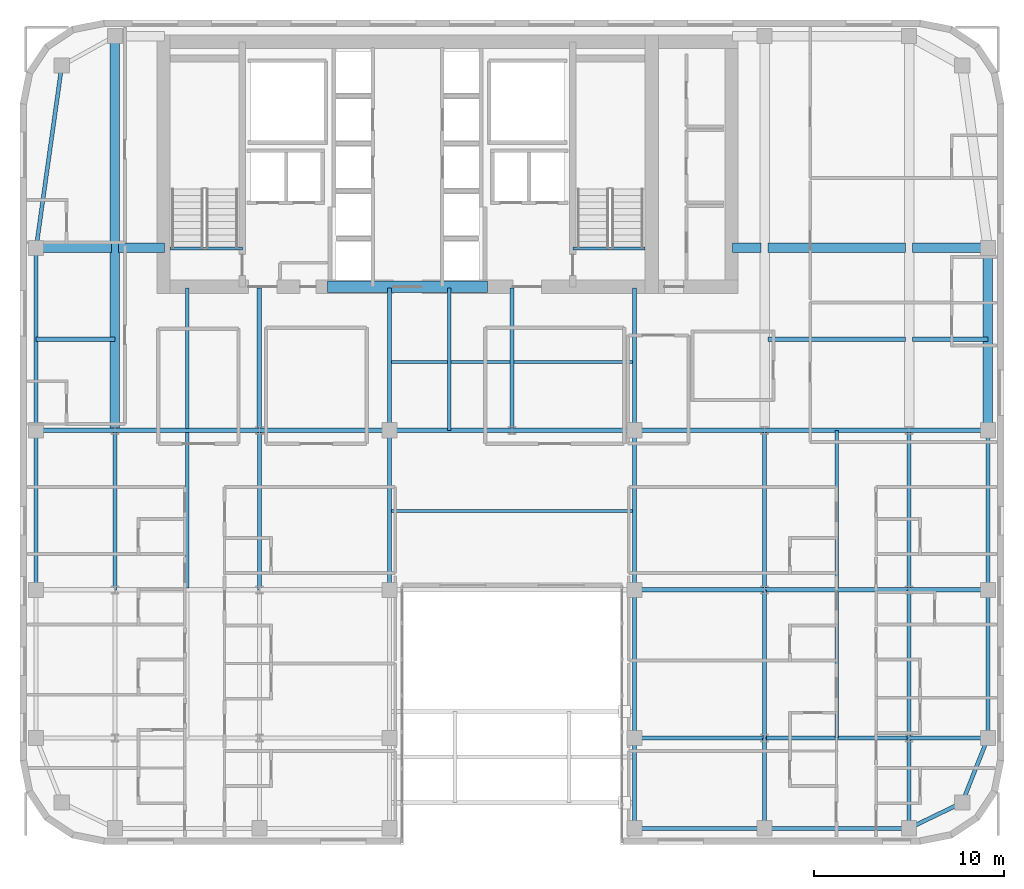
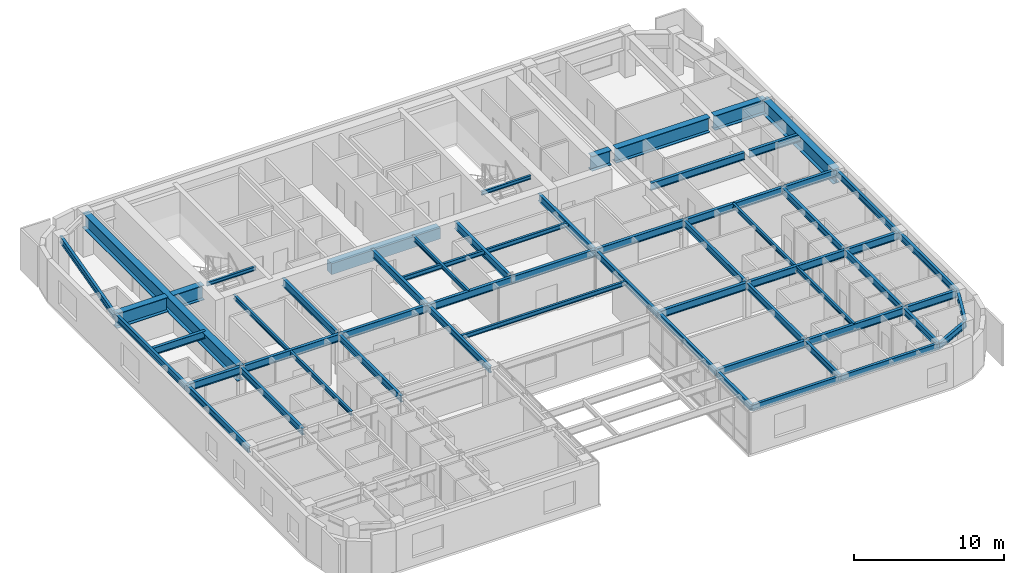
# One storey, part 5 of 15: 59 beams.
"""IFC4 building model written with IfcOpenShell, lengths in metres."""

import ifcopenshell
import ifcopenshell.guid

model = None  # the IFC model being written
_history = None  # IfcOwnerHistory: only IFC2X3 demands one
_inside = {}  # id of a spatial element -> (the spatial element, [elements in it])
_under = {}  # id of a project, library or spatial element -> (it, [spatial elements below it])
_declared = {}  # id of a project -> (the project, [libraries it declares])
_typed = {}  # id of a type object -> (the type object, [elements of that type])
_made_of = {}  # id of a material, layer set ... -> (it, [elements and type objects made of it])


def new_model(schema):
    """Start an empty IFC model of exactly this schema.

    Asked for "IFC4X3", IfcOpenShell would pick the latest addendum, in which some entities
    have other attributes; the version numbers below select the first issue.
    IFC2X3 requires an IfcOwnerHistory on every rooted entity: one is made here for all.
    """
    global model, _history
    if schema == "IFC4X3":
        model = ifcopenshell.file(schema_version=(4, 3, 0, 0))
    else:
        model = ifcopenshell.file(schema=schema)
    _inside.clear()
    _under.clear()
    _declared.clear()
    _typed.clear()
    _made_of.clear()
    _history = None
    if model.schema == "IFC2X3":
        org = make("IfcOrganization", Name="unknown")
        user = make(
            "IfcPersonAndOrganization",
            ThePerson=make("IfcPerson", FamilyName="unknown"),
            TheOrganization=org,
        )
        app = make(
            "IfcApplication",
            ApplicationDeveloper=org,
            Version="unknown",
            ApplicationFullName="unknown",
            ApplicationIdentifier="unknown",
        )
        _history = make(
            "IfcOwnerHistory",
            OwningUser=user,
            OwningApplication=app,
            ChangeAction="ADDED",
            CreationDate=0,
        )
    return model


def make(cls, **values):
    """One entity of the class cls with the attributes given. An attribute that is None is left unset."""
    return model.create_entity(
        cls, **{name: value for name, value in values.items() if value is not None}
    )


def rooted(cls, **values):
    """An entity with a GlobalId (a new one), such as an element, a storey or a relation."""
    return make(cls, GlobalId=ifcopenshell.guid.new(), OwnerHistory=_history, **values)


def si_unit(unit_type, name, prefix=None):
    """IfcSIUnit, for example si_unit("LENGTHUNIT", "METRE", prefix="MILLI")."""
    return make("IfcSIUnit", UnitType=unit_type, Prefix=prefix, Name=name)


def assignment(units):
    """IfcUnitAssignment: the units of a project."""
    return None if units is None else make("IfcUnitAssignment", Units=units)


def point(xyz):
    """IfcCartesianPoint."""
    return None if xyz is None else make("IfcCartesianPoint", Coordinates=xyz)


def direction(xyz):
    """IfcDirection."""
    return None if xyz is None else make("IfcDirection", DirectionRatios=xyz)


def frame(location, z_axis=None, x_axis=None):
    """IfcAxis2Placement3D, a coordinate frame: its origin and axes. An axis left out is left unset."""
    return make(
        "IfcAxis2Placement3D",
        Location=point(location),
        Axis=direction(z_axis),
        RefDirection=direction(x_axis),
    )


def frame_2d(location, x_axis=None):
    """IfcAxis2Placement2D, a coordinate frame in the plane: its origin and x axis."""
    return make(
        "IfcAxis2Placement2D", Location=point(location), RefDirection=direction(x_axis)
    )


def origin():
    """The frame at (0, 0, 0) with its axes left unset."""
    return frame((0.0, 0.0, 0.0))


def origin_2d():
    """The frame at (0, 0) in the plane with its x axis left unset."""
    return frame_2d((0.0, 0.0))


def place(relative_to, where):
    """IfcLocalPlacement: puts the frame where relative to a parent placement (None: the world)."""
    return make(
        "IfcLocalPlacement", PlacementRelTo=relative_to, RelativePlacement=where
    )


def context(
    kind, dimensions, precision=None, world=None, true_north=None, identifier=None
):
    """IfcGeometricRepresentationContext, for example the 3D "Model" context."""
    return make(
        "IfcGeometricRepresentationContext",
        ContextIdentifier=identifier,
        ContextType=kind,
        CoordinateSpaceDimension=dimensions,
        Precision=precision,
        WorldCoordinateSystem=world,
        TrueNorth=true_north,
    )


def subcontext(parent, identifier, kind, view, scale=None):
    """IfcGeometricRepresentationSubContext, for example "Body" below "Model"."""
    return make(
        "IfcGeometricRepresentationSubContext",
        ContextIdentifier=identifier,
        ContextType=kind,
        ParentContext=parent,
        TargetScale=scale,
        TargetView=view,
    )


def project(units=None, contexts=None):
    """IfcProject with its units and contexts."""
    return rooted(
        "IfcProject",
        Name="project",
        RepresentationContexts=contexts,
        UnitsInContext=assignment(units),
    )


def spatial(cls, under=None, at=None, **own):
    """A site, building, storey or space (cls), placed at a placement, below another one or the project."""
    s = rooted(cls, ObjectPlacement=at, **own)
    if under is not None:
        _under.setdefault(under.id(), (under, []))[1].append(s)
    return s


def profile(cls, at=None, kind="AREA", **sizes):
    """A parametric profile (cls). Its sizes go by their IFC names, for example OverallWidth=200.0."""
    return make(cls, ProfileType=kind, Position=at, **sizes)


def rectangle(**sizes):
    """IfcRectangleProfileDef."""
    return profile("IfcRectangleProfileDef", **sizes)


def i_section(**sizes):
    """IfcIShapeProfileDef."""
    return profile("IfcIShapeProfileDef", **sizes)


def extrude(swept, where, along, depth):
    """IfcExtrudedAreaSolid: the profile swept, set in the frame where, extruded along a direction by depth."""
    return make(
        "IfcExtrudedAreaSolid",
        SweptArea=swept,
        Position=where,
        ExtrudedDirection=direction(along),
        Depth=depth,
    )


def shape(context_of_items, identifier, shape_type, items):
    """IfcShapeRepresentation: the items that make up one representation, for example the "Body"."""
    return make(
        "IfcShapeRepresentation",
        ContextOfItems=context_of_items,
        RepresentationIdentifier=identifier,
        RepresentationType=shape_type,
        Items=items,
    )


def source(mapping_origin, context_of_items, identifier, shape_type, items):
    """IfcRepresentationMap: a shape defined once, which mapped items show again and again."""
    return make(
        "IfcRepresentationMap",
        MappingOrigin=mapping_origin,
        MappedRepresentation=shape(context_of_items, identifier, shape_type, items),
    )


def transform(
    local_origin,
    x_axis=None,
    y_axis=None,
    z_axis=None,
    scale=None,
    scale2=None,
    scale3=None,
    uniform=True,
):
    """IfcCartesianTransformationOperator3D, or its non-uniform kind. x_axis, y_axis, z_axis: its Axis1, 2, 3."""
    if uniform:
        return make(
            "IfcCartesianTransformationOperator3D",
            Axis1=direction(x_axis),
            Axis2=direction(y_axis),
            LocalOrigin=point(local_origin),
            Scale=scale,
            Axis3=direction(z_axis),
        )
    return make(
        "IfcCartesianTransformationOperator3DnonUniform",
        Axis1=direction(x_axis),
        Axis2=direction(y_axis),
        LocalOrigin=point(local_origin),
        Scale=scale,
        Axis3=direction(z_axis),
        Scale2=scale2,
        Scale3=scale3,
    )


def mapped(mapping_source, mapping_target):
    """IfcMappedItem: shows the shape of a source again, moved by a transform."""
    return make(
        "IfcMappedItem", MappingSource=mapping_source, MappingTarget=mapping_target
    )


def material(Name=None, Category=None):
    """IfcMaterial."""
    return make("IfcMaterial", Name=Name, Category=Category)


def material_profile(
    of_material, cross_section, Name=None, Category=None, Priority=None
):
    """IfcMaterialProfile: a cross section and its material."""
    return make(
        "IfcMaterialProfile",
        Name=Name,
        Material=of_material,
        Profile=cross_section,
        Priority=Priority,
        Category=Category,
    )


def profile_set(profiles, Name=None, composite=None):
    """IfcMaterialProfileSet."""
    return make(
        "IfcMaterialProfileSet",
        Name=Name,
        MaterialProfiles=profiles,
        CompositeProfile=composite,
    )


def made_of(thing, what):
    """Note that an element or type object is made of a material, layer set ...; save() writes the relation."""
    if what is not None:
        _made_of.setdefault(what.id(), (what, []))[1].append(thing)
    return thing


def type_object(cls, material=None, **own):
    """A type object (cls), such as IfcWallType, which elements share."""
    return made_of(rooted(cls, **own), material)


def type_shapes(of_type, sources):
    """Give a type object the sources (RepresentationMaps) that its elements show as mapped items."""
    of_type.RepresentationMaps = sources


def element(
    cls,
    number,
    at=None,
    inside=None,
    cuts=None,
    type_object=None,
    material=None,
    context=None,
    identifier="Body",
    shape_type=None,
    held_by="IfcProductDefinitionShape",
    body=None,
    shapes=None,
    **own,
):
    """One element of the class cls, such as IfcWall. Its Tag is "e" and its number.

    at: its placement. inside: the storey or other place that contains it. cuts: it is an
    opening in that element (IfcRelVoidsElement). A single representation is given by context,
    identifier, shape_type and body (its items); several are given by shapes. held_by: the class
    of the entity that holds the representations. save() writes the other relations.
    """
    e = rooted(cls, Tag="e%d" % number, ObjectPlacement=at, **own)
    if body is not None:
        shapes = [shape(context, identifier, shape_type, body)]
    if shapes is not None:
        e.Representation = make(held_by, Representations=shapes)
    if inside is not None:
        _inside.setdefault(inside.id(), (inside, []))[1].append(e)
    if cuts is not None:
        rooted(
            "IfcRelVoidsElement", RelatingBuildingElement=cuts, RelatedOpeningElement=e
        )
    if type_object is not None:
        _typed.setdefault(type_object.id(), (type_object, []))[1].append(e)
    return made_of(e, material)


def aggregate(whole, parts):
    """IfcRelAggregates: a whole, such as a stair, and the parts it consists of."""
    return rooted("IfcRelAggregates", RelatingObject=whole, RelatedObjects=parts)


def save(model, path):
    """Write the relations noted so far, then the file.

    IfcRelAggregates (storeys below a building ...), IfcRelContainedInSpatialStructure (elements
    in a storey), IfcRelDefinesByType, IfcRelAssociatesMaterial and IfcRelDeclares: one each for
    every whole, place, type object, material and project.
    """
    for whole, parts in _under.values():
        aggregate(whole, parts)
    for where, things in _inside.values():
        rooted(
            "IfcRelContainedInSpatialStructure",
            RelatedElements=things,
            RelatingStructure=where,
        )
    for kind, things in _typed.values():
        rooted("IfcRelDefinesByType", RelatedObjects=things, RelatingType=kind)
    for what, things in _made_of.values():
        rooted("IfcRelAssociatesMaterial", RelatedObjects=things, RelatingMaterial=what)
    for by, libraries in _declared.values():
        rooted("IfcRelDeclares", RelatingContext=by, RelatedDefinitions=libraries)
    model.write(path)


model = new_model("IFC4")

# Units and contexts
model_context = context("Model", 3, precision=1e-05, world=origin(), true_north=direction((0.0, 1.0)))
body_context = subcontext(model_context, "Body", "Model", "MODEL_VIEW")
ifc_project = project(units=[si_unit("LENGTHUNIT", "METRE"), si_unit("AREAUNIT", "SQUARE_METRE"), si_unit("VOLUMEUNIT", "CUBIC_METRE"), si_unit("PLANEANGLEUNIT", "RADIAN"), si_unit("MASSUNIT", "GRAM", prefix="KILO")], contexts=[model_context])

# Site, building, storey
site_placement = place(None, origin())
site = spatial("IfcSite", under=ifc_project, at=site_placement, CompositionType="ELEMENT")
building_placement = place(site_placement, origin())
building = spatial("IfcBuilding", under=site, at=building_placement, Name="Tolvann Quenvar Hotel", CompositionType="ELEMENT")
storey_placement = place(building_placement, frame((0.0, 0.0, 164.800048828125)))
storey = spatial("IfcBuildingStorey", under=building, at=storey_placement, Name="L43", CompositionType="ELEMENT", Elevation=164.800048828125)

# Beams
ifc_material_1 = material(Name="Concrete N50 (50 MPa)", Category="concrete")
ifc_material_profile_1 = material_profile(ifc_material_1, rectangle(XDim=0.60009765625, YDim=0.89990234375, at=origin_2d()), Name="RC600x900")
ifc_profile_set_1 = profile_set([ifc_material_profile_1], Name="Concrete N50 (50 MPa)")
beam_type_1 = type_object("IfcBeamType", Name="BM_LINT_RC600x900", PredefinedType="LINTEL", material=ifc_profile_set_1)
shared_shape_1 = source(origin(), body_context, "Body", "SweptSolid", [
    extrude(rectangle(XDim=0.60009765625, YDim=0.89990234375, at=origin_2d()), origin(), (0.0, 0.0, 1.0), 8.39990234375),
])
type_shapes(beam_type_1, [shared_shape_1])
beam_1_placement = place(storey_placement, frame((18.800048828125, 31.949951171875, 2.919921875), z_axis=(1.0, 0.0, 0.0), x_axis=(0.0, 1.0, 0.0)))
element("IfcBeam", 1, at=beam_1_placement, inside=storey, type_object=beam_type_1, Name="Core Coupling Lintel Beam (L43)", PredefinedType="LINTEL", context=body_context, shape_type="MappedRepresentation", body=[
    mapped(shared_shape_1, transform((0.0, 0.0, 0.0), x_axis=(1.0, 0.0, 0.0), y_axis=(0.0, 1.0, 0.0), z_axis=(0.0, 0.0, 1.0), scale=1.0)),
])
ifc_material_2 = material(Name="Steel Grade 350", Category="steel")
ifc_material_profile_2 = material_profile(ifc_material_2, i_section(OverallWidth=0.5, OverallDepth=1.199951171875, WebThickness=0.01611328125, FlangeThickness=0.0400390625, at=origin_2d()), Name="1200WB455")
ifc_profile_set_2 = profile_set([ifc_material_profile_2], Name="Steel Grade 350")
beam_type_2 = type_object("IfcBeamType", Name="BM_TG_1200WB455", PredefinedType="USERDEFINED", material=ifc_profile_set_2)
shared_shape_2 = source(origin(), body_context, "Body", "SweptSolid", [
    extrude(i_section(OverallWidth=0.5, OverallDepth=1.199951171875, WebThickness=0.01611328125, FlangeThickness=0.0400390625, at=origin_2d()), origin(), (0.0, 0.0, 1.0), 9.60009765625),
])
beam_2_placement = place(storey_placement, frame((53.550048828125, 24.39990234375, 2.77001953125), z_axis=(0.0, 1.0, 0.0), x_axis=(-1.0, 0.0, 0.0)))
element("IfcBeam", 2, at=beam_2_placement, inside=storey, type_object=beam_type_2, Name="BM-L43-FLK-E1", ObjectType="TRANSFER GIRDER", PredefinedType="USERDEFINED", context=body_context, shape_type="MappedRepresentation", body=[
    mapped(shared_shape_2, transform((0.0, 0.0, 0.0), x_axis=(1.0, 0.0, 0.0), y_axis=(0.0, 1.0, 0.0), z_axis=(0.0, 0.0, 1.0), scale=1.0)),
])
ifc_material_profile_3 = material_profile(ifc_material_2, i_section(OverallWidth=0.208984375, OverallDepth=0.528076171875, WebThickness=0.009521484375, FlangeThickness=0.01318359375, FilletRadius=0.013916015625, at=origin_2d()), Name="530UB82")
ifc_profile_set_3 = profile_set([ifc_material_profile_3], Name="Steel Grade 350")
beam_type_3 = type_object("IfcBeamType", Name="BM_SPAND_530UB82", PredefinedType="SPANDREL", material=ifc_profile_set_3)
shared_shape_3 = source(origin(), body_context, "Body", "SweptSolid", [
    extrude(i_section(OverallWidth=0.208984375, OverallDepth=0.528076171875, WebThickness=0.009521484375, FlangeThickness=0.01318359375, FilletRadius=0.013916015625, at=origin_2d()), origin(), (0.0, 0.0, 1.0), 7.599853515625),
])
beam_3_placement = place(storey_placement, frame((41.800048828125, 3.449951171875, 3.10595703125), z_axis=(1.0, 0.0, 0.0), x_axis=(0.0, 1.0, 0.0)))
element("IfcBeam", 3, at=beam_3_placement, inside=storey, type_object=beam_type_3, Name="BM-L43-EW-2-H2-I2", PredefinedType="SPANDREL", context=body_context, shape_type="MappedRepresentation", body=[
    mapped(shared_shape_3, transform((0.0, 0.0, 0.0), x_axis=(1.0, 0.0, 0.0), y_axis=(0.0, 1.0, 0.0), z_axis=(0.0, 0.0, 1.0), scale=1.0)),
])
shared_shape_4 = source(origin(), body_context, "Body", "SweptSolid", [
    extrude(i_section(OverallWidth=0.208984375, OverallDepth=0.528076171875, WebThickness=0.009521484375, FlangeThickness=0.01318359375, FilletRadius=0.013916015625, at=origin_2d()), origin(), (0.0, 0.0, 1.0), 6.85009765625),
])
beam_4_placement = place(storey_placement, frame((34.949951171875, 3.449951171875, 3.10595703125), z_axis=(1.0, 0.0, 0.0), x_axis=(0.0, 1.0, 0.0)))
element("IfcBeam", 4, at=beam_4_placement, inside=storey, type_object=beam_type_3, Name="BM-L43-EW-2-F2-H2", PredefinedType="SPANDREL", context=body_context, shape_type="MappedRepresentation", body=[
    mapped(shared_shape_4, transform((0.0, 0.0, 0.0), x_axis=(1.0, 0.0, 0.0), y_axis=(0.0, 1.0, 0.0), z_axis=(0.0, 0.0, 1.0), scale=1.0)),
])
shared_shape_5 = source(origin(), body_context, "Body", "SweptSolid", [
    extrude(i_section(OverallWidth=0.208984375, OverallDepth=0.528076171875, WebThickness=0.009521484375, FlangeThickness=0.01318359375, FilletRadius=0.013916015625, at=origin_2d()), origin(), (0.0, 0.0, 1.0), 7.800048828125),
])
beam_5_placement = place(storey_placement, frame((53.550048828125, 8.199951171875, 3.10595703125), z_axis=(0.0, 1.0, 0.0), x_axis=(-1.0, 0.0, 0.0)))
element("IfcBeam", 5, at=beam_5_placement, inside=storey, type_object=beam_type_3, Name="BM-L43-NS-J3-J4", PredefinedType="SPANDREL", context=body_context, shape_type="MappedRepresentation", body=[
    mapped(shared_shape_5, transform((0.0, 0.0, 0.0), x_axis=(1.0, 0.0, 0.0), y_axis=(0.0, 1.0, 0.0), z_axis=(0.0, 0.0, 1.0), scale=1.0)),
])
shared_shape_6 = source(origin(), body_context, "Body", "SweptSolid", [
    extrude(i_section(OverallWidth=0.208984375, OverallDepth=0.528076171875, WebThickness=0.009521484375, FlangeThickness=0.01318359375, FilletRadius=0.013916015625, at=origin_2d()), origin(), (0.0, 0.0, 1.0), 8.39990234375),
])
for number, where, z_axis, x_axis, name in (
    (6, (3.449951171875, 16.0, 3.10595703125), (0.0, 1.0, 0.0), (-1.0, 0.0, 0.0), "BM-L43-NS-B4-B5"),
    (7, (53.550048828125, 16.0, 3.10595703125), (0.0, 1.0, 0.0), (-1.0, 0.0, 0.0), "BM-L43-NS-J4-J5"),
):
    element("IfcBeam", number, at=place(storey_placement, frame(where, z_axis=z_axis, x_axis=x_axis)), inside=storey, type_object=beam_type_3, Name=name, PredefinedType="SPANDREL", context=body_context, shape_type="MappedRepresentation", body=[
        mapped(shared_shape_6, transform((0.0, 0.0, 0.0), x_axis=(1.0, 0.0, 0.0), y_axis=(0.0, 1.0, 0.0), z_axis=(0.0, 0.0, 1.0), scale=1.0)),
    ])
ifc_material_profile_4 = material_profile(ifc_material_2, i_section(OverallWidth=0.208984375, OverallDepth=0.532958984375, WebThickness=0.01025390625, FlangeThickness=0.015625, FilletRadius=0.013916015625, at=origin_2d()), Name="530UB92")
ifc_profile_set_4 = profile_set([ifc_material_profile_4], Name="Steel Grade 350")
beam_type_4 = type_object("IfcBeamType", Name="BM_GIRD_530UB92", PredefinedType="BEAM", material=ifc_profile_set_4)
shared_shape_7 = source(origin(), body_context, "Body", "SweptSolid", [
    extrude(i_section(OverallWidth=0.208984375, OverallDepth=0.532958984375, WebThickness=0.01025390625, FlangeThickness=0.015625, FilletRadius=0.013916015625, at=origin_2d()), origin(), (0.0, 0.0, 1.0), 7.800048828125),
])
for number, where, z_axis, x_axis, name in (
    (8, (34.949951171875, 8.199951171875, 3.103515625), (0.0, 1.0, 0.0), (-1.0, 0.0, 0.0), "BM-L43-NS-F3-F4"),
    (9, (41.800048828125, 8.199951171875, 3.103515625), (0.0, 1.0, 0.0), (-1.0, 0.0, 0.0), "BM-L43-NS-H3-H4"),
    (10, (49.39990234375, 8.199951171875, 3.103515625), (0.0, 1.0, 0.0), (-1.0, 0.0, 0.0), "BM-L43-NS-I3-I4"),
):
    element("IfcBeam", number, at=place(storey_placement, frame(where, z_axis=z_axis, x_axis=x_axis)), inside=storey, type_object=beam_type_4, Name=name, PredefinedType="BEAM", context=body_context, shape_type="MappedRepresentation", body=[
        mapped(shared_shape_7, transform((0.0, 0.0, 0.0), x_axis=(1.0, 0.0, 0.0), y_axis=(0.0, 1.0, 0.0), z_axis=(0.0, 0.0, 1.0), scale=1.0)),
    ])
shared_shape_8 = source(origin(), body_context, "Body", "SweptSolid", [
    extrude(i_section(OverallWidth=0.208984375, OverallDepth=0.532958984375, WebThickness=0.01025390625, FlangeThickness=0.015625, FilletRadius=0.013916015625, at=origin_2d()), origin(), (0.0, 0.0, 1.0), 8.39990234375),
])
for number, where, z_axis, x_axis, name in (
    (11, (7.60009765625, 16.0, 3.103515625), (0.0, 1.0, 0.0), (-1.0, 0.0, 0.0), "BM-L43-NS-C4-C5"),
    (12, (15.199951171875, 16.0, 3.103515625), (0.0, 1.0, 0.0), (-1.0, 0.0, 0.0), "BM-L43-NS-D4-D5"),
    (13, (22.050048828125, 16.0, 3.103515625), (0.0, 1.0, 0.0), (-1.0, 0.0, 0.0), "BM-L43-NS-E4-E5"),
    (14, (34.949951171875, 16.0, 3.103515625), (0.0, 1.0, 0.0), (-1.0, 0.0, 0.0), "BM-L43-NS-F4-F5"),
    (15, (41.800048828125, 16.0, 3.103515625), (0.0, 1.0, 0.0), (-1.0, 0.0, 0.0), "BM-L43-NS-H4-H5"),
    (16, (49.39990234375, 16.0, 3.103515625), (0.0, 1.0, 0.0), (-1.0, 0.0, 0.0), "BM-L43-NS-I4-I5"),
):
    element("IfcBeam", number, at=place(storey_placement, frame(where, z_axis=z_axis, x_axis=x_axis)), inside=storey, type_object=beam_type_4, Name=name, PredefinedType="BEAM", context=body_context, shape_type="MappedRepresentation", body=[
        mapped(shared_shape_8, transform((0.0, 0.0, 0.0), x_axis=(1.0, 0.0, 0.0), y_axis=(0.0, 1.0, 0.0), z_axis=(0.0, 0.0, 1.0), scale=1.0)),
    ])
shared_shape_9 = source(origin(), body_context, "Body", "SweptSolid", [
    extrude(i_section(OverallWidth=0.208984375, OverallDepth=0.528076171875, WebThickness=0.009521484375, FlangeThickness=0.01318359375, FilletRadius=0.013916015625, at=origin_2d()), origin(), (0.0, 0.0, 1.0), 9.60009765625),
])
beam_6_placement = place(storey_placement, frame((3.449951171875, 24.39990234375, 3.10595703125), z_axis=(0.0, 1.0, 0.0), x_axis=(-1.0, 0.0, 0.0)))
element("IfcBeam", 17, at=beam_6_placement, inside=storey, type_object=beam_type_3, Name="BM-L43-FLK-W1", PredefinedType="SPANDREL", context=body_context, shape_type="MappedRepresentation", body=[
    mapped(shared_shape_9, transform((0.0, 0.0, 0.0), x_axis=(1.0, 0.0, 0.0), y_axis=(0.0, 1.0, 0.0), z_axis=(0.0, 0.0, 1.0), scale=1.0)),
])
shared_shape_10 = source(origin(), body_context, "Body", "SweptSolid", [
    extrude(i_section(OverallWidth=0.5, OverallDepth=1.199951171875, WebThickness=0.01611328125, FlangeThickness=0.0400390625, at=origin_2d()), origin(), (0.0, 0.0, 1.0), 20.75),
])
beam_7_placement = place(storey_placement, frame((7.60009765625, 24.39990234375, 2.77001953125), z_axis=(0.0, 1.0, 0.0), x_axis=(-1.0, 0.0, 0.0)))
element("IfcBeam", 18, at=beam_7_placement, inside=storey, type_object=beam_type_2, Name="BM-L43-FLK-WC", ObjectType="TRANSFER GIRDER", PredefinedType="USERDEFINED", context=body_context, shape_type="MappedRepresentation", body=[
    mapped(shared_shape_10, transform((0.0, 0.0, 0.0), x_axis=(1.0, 0.0, 0.0), y_axis=(0.0, 1.0, 0.0), z_axis=(0.0, 0.0, 1.0), scale=1.0)),
])
shared_shape_11 = source(origin(), body_context, "Body", "SweptSolid", [
    extrude(i_section(OverallWidth=0.5, OverallDepth=1.199951171875, WebThickness=0.01611328125, FlangeThickness=0.0400390625, at=origin_2d()), origin(), (0.0, 0.0, 1.0), 2.419921875),
])
beam_8_placement = place(storey_placement, frame((7.780029296875, 34.0, 2.77001953125), z_axis=(1.0, 0.0, 0.0), x_axis=(0.0, 1.0, 0.0)))
element("IfcBeam", 19, at=beam_8_placement, inside=storey, type_object=beam_type_2, Name="BM-L43-CTW-MID2", ObjectType="TRANSFER GIRDER", PredefinedType="USERDEFINED", context=body_context, shape_type="MappedRepresentation", body=[
    mapped(shared_shape_11, transform((0.0, 0.0, 0.0), x_axis=(1.0, 0.0, 0.0), y_axis=(0.0, 1.0, 0.0), z_axis=(0.0, 0.0, 1.0), scale=1.0)),
])
shared_shape_12 = source(origin(), body_context, "Body", "SweptSolid", [
    extrude(i_section(OverallWidth=0.5, OverallDepth=1.199951171875, WebThickness=0.01611328125, FlangeThickness=0.0400390625, at=origin_2d()), origin(), (0.0, 0.0, 1.0), 1.52001953125),
])
beam_9_placement = place(storey_placement, frame((40.10009765625, 34.0, 2.77001953125), z_axis=(1.0, 0.0, 0.0), x_axis=(0.0, 1.0, 0.0)))
element("IfcBeam", 20, at=beam_9_placement, inside=storey, type_object=beam_type_2, Name="BM-L43-CTE-JD6A", ObjectType="TRANSFER GIRDER", PredefinedType="USERDEFINED", context=body_context, shape_type="MappedRepresentation", body=[
    mapped(shared_shape_12, transform((0.0, 0.0, 0.0), x_axis=(1.0, 0.0, 0.0), y_axis=(0.0, 1.0, 0.0), z_axis=(0.0, 0.0, 1.0), scale=1.0)),
])
shared_shape_13 = source(origin(), body_context, "Body", "SweptSolid", [
    extrude(i_section(OverallWidth=0.5, OverallDepth=1.199951171875, WebThickness=0.01611328125, FlangeThickness=0.0400390625, at=origin_2d()), origin(), (0.0, 0.0, 1.0), 7.239990234375),
])
beam_10_placement = place(storey_placement, frame((41.97998046875, 34.0, 2.77001953125), z_axis=(1.0, 0.0, 0.0), x_axis=(0.0, 1.0, 0.0)))
element("IfcBeam", 21, at=beam_10_placement, inside=storey, type_object=beam_type_2, Name="BM-L43-CTE-JD6B", ObjectType="TRANSFER GIRDER", PredefinedType="USERDEFINED", context=body_context, shape_type="MappedRepresentation", body=[
    mapped(shared_shape_13, transform((0.0, 0.0, 0.0), x_axis=(1.0, 0.0, 0.0), y_axis=(0.0, 1.0, 0.0), z_axis=(0.0, 0.0, 1.0), scale=1.0)),
])
ifc_material_profile_5 = material_profile(ifc_material_2, i_section(OverallWidth=0.166015625, OverallDepth=0.306884765625, WebThickness=0.006591796875, FlangeThickness=0.01171875, FilletRadius=0.011474609375, at=origin_2d()), Name="310UB46")
ifc_profile_set_5 = profile_set([ifc_material_profile_5], Name="Steel Grade 350")
beam_type_5 = type_object("IfcBeamType", Name="BM_JOIST_310UB46", PredefinedType="JOIST", material=ifc_profile_set_5)
shared_shape_14 = source(origin(), body_context, "Body", "SweptSolid", [
    extrude(i_section(OverallWidth=0.166015625, OverallDepth=0.306884765625, WebThickness=0.006591796875, FlangeThickness=0.01171875, FilletRadius=0.011474609375, at=origin_2d()), origin(), (0.0, 0.0, 1.0), 3.800048828125),
])
type_shapes(beam_type_5, [shared_shape_14])
for number, where, z_axis, x_axis, name in (
    (22, (10.5, 33.97998046875, 3.216552734375), (1.0, 0.0, 0.0), (0.0, 1.0, 0.0), "BM-HDR-STC1-L44"),
    (23, (31.699951171875, 33.97998046875, 3.216552734375), (1.0, 0.0, 0.0), (0.0, 1.0, 0.0), "BM-HDR-STC2-L44"),
):
    element("IfcBeam", number, at=place(storey_placement, frame(where, z_axis=z_axis, x_axis=x_axis)), inside=storey, type_object=beam_type_5, Name=name, PredefinedType="JOIST", context=body_context, shape_type="MappedRepresentation", body=[
        mapped(shared_shape_14, transform((0.0, 0.0, 0.0), x_axis=(1.0, 0.0, 0.0), y_axis=(0.0, 1.0, 0.0), z_axis=(0.0, 0.0, 1.0), scale=1.0)),
    ])
shared_shape_15 = source(origin(), body_context, "Body", "SweptSolid", [
    extrude(i_section(OverallWidth=0.208984375, OverallDepth=0.528076171875, WebThickness=0.009521484375, FlangeThickness=0.01318359375, FilletRadius=0.013916015625, at=origin_2d()), origin(), (0.0, 0.0, 1.0), 9.694580078125),
])
beam_11_placement = place(storey_placement, frame((3.449951171875, 34.0, 3.10595703125), z_axis=(0.139263320262, 0.990255385055, 0.0), x_axis=(-0.990255385055, 0.139263320262, 0.0)))
element("IfcBeam", 24, at=beam_11_placement, inside=storey, type_object=beam_type_3, Name="BM-L43-FLK-W2", PredefinedType="SPANDREL", context=body_context, shape_type="MappedRepresentation", body=[
    mapped(shared_shape_15, transform((0.0, 0.0, 0.0), x_axis=(1.0, 0.0, 0.0), y_axis=(0.0, 1.0, 0.0), z_axis=(0.0, 0.0, 1.0), scale=1.0)),
])
shared_shape_16 = source(origin(), body_context, "Body", "SweptSolid", [
    extrude(i_section(OverallWidth=0.5, OverallDepth=1.199951171875, WebThickness=0.01611328125, FlangeThickness=0.0400390625, at=origin_2d()), origin(), (0.0, 0.0, 1.0), 3.969970703125),
])
type_shapes(beam_type_2, [shared_shape_2, shared_shape_10, shared_shape_11, shared_shape_12, shared_shape_13, shared_shape_16])
for number, where, z_axis, x_axis, name in (
    (25, (3.449951171875, 34.0, 2.77001953125), (1.0, 0.0, 0.0), (0.0, 1.0, 0.0), "BM-L43-CTW-MID1"),
    (26, (49.580078125, 34.0, 2.77001953125), (1.0, 0.0, 0.0), (0.0, 1.0, 0.0), "BM-L43-CTE-JD6C"),
):
    element("IfcBeam", number, at=place(storey_placement, frame(where, z_axis=z_axis, x_axis=x_axis)), inside=storey, type_object=beam_type_2, Name=name, ObjectType="TRANSFER GIRDER", PredefinedType="USERDEFINED", context=body_context, shape_type="MappedRepresentation", body=[
        mapped(shared_shape_16, transform((0.0, 0.0, 0.0), x_axis=(1.0, 0.0, 0.0), y_axis=(0.0, 1.0, 0.0), z_axis=(0.0, 0.0, 1.0), scale=1.0)),
    ])
ifc_material_profile_6 = material_profile(ifc_material_2, i_section(OverallWidth=0.172119140625, OverallDepth=0.35888671875, WebThickness=0.008056640625, FlangeThickness=0.012939453125, FilletRadius=0.011474609375, at=origin_2d()), Name="360UB57")
ifc_profile_set_6 = profile_set([ifc_material_profile_6], Name="Steel Grade 350")
beam_type_6 = type_object("IfcBeamType", Name="BM_JOIST_360UB57", PredefinedType="JOIST", material=ifc_profile_set_6)
shared_shape_17 = source(origin(), body_context, "Body", "SweptSolid", [
    extrude(i_section(OverallWidth=0.172119140625, OverallDepth=0.35888671875, WebThickness=0.008056640625, FlangeThickness=0.012939453125, FilletRadius=0.011474609375, at=origin_2d()), origin(), (0.0, 0.0, 1.0), 12.89990234375),
])
for number, where, z_axis, x_axis, name in (
    (27, (22.050048828125, 20.14990234375, 3.1904296875), (1.0, 0.0, 0.0), (0.0, 1.0, 0.0), "BM-L43-SPINE-20"),
    (28, (22.050048828125, 28.0, 3.1904296875), (1.0, 0.0, 0.0), (0.0, 1.0, 0.0), "BM-L43-SPINE-28"),
):
    element("IfcBeam", number, at=place(storey_placement, frame(where, z_axis=z_axis, x_axis=x_axis)), inside=storey, type_object=beam_type_6, Name=name, PredefinedType="JOIST", context=body_context, shape_type="MappedRepresentation", body=[
        mapped(shared_shape_17, transform((0.0, 0.0, 0.0), x_axis=(1.0, 0.0, 0.0), y_axis=(0.0, 1.0, 0.0), z_axis=(0.0, 0.0, 1.0), scale=1.0)),
    ])
shared_shape_18 = source(origin(), body_context, "Body", "SweptSolid", [
    extrude(i_section(OverallWidth=0.172119140625, OverallDepth=0.35888671875, WebThickness=0.008056640625, FlangeThickness=0.012939453125, FilletRadius=0.011474609375, at=origin_2d()), origin(), (0.0, 0.0, 1.0), 7.5),
])
beam_12_placement = place(storey_placement, frame((25.199951171875, 24.39990234375, 3.1904296875), z_axis=(0.0, 1.0, 0.0), x_axis=(-1.0, 0.0, 0.0)))
element("IfcBeam", 29, at=beam_12_placement, inside=storey, type_object=beam_type_6, Name="BJ-L43-252-244", PredefinedType="JOIST", context=body_context, shape_type="MappedRepresentation", body=[
    mapped(shared_shape_18, transform((0.0, 0.0, 0.0), x_axis=(1.0, 0.0, 0.0), y_axis=(0.0, 1.0, 0.0), z_axis=(0.0, 0.0, 1.0), scale=1.0)),
])
shared_shape_19 = source(origin(), body_context, "Body", "SweptSolid", [
    extrude(i_section(OverallWidth=0.208984375, OverallDepth=0.528076171875, WebThickness=0.009521484375, FlangeThickness=0.01318359375, FilletRadius=0.013916015625, at=origin_2d()), origin(), (0.0, 0.0, 1.0), 3.108642578125),
])
beam_13_placement = place(storey_placement, frame((49.39990234375, 3.449951171875, 3.10595703125), z_axis=(0.900759354066, 0.434318530646, 0.0), x_axis=(-0.434318530646, 0.900759354066, 0.0)))
element("IfcBeam", 30, at=beam_13_placement, inside=storey, type_object=beam_type_3, Name="BM-L43-EW-2-I2-J2", PredefinedType="SPANDREL", context=body_context, shape_type="MappedRepresentation", body=[
    mapped(shared_shape_19, transform((0.0, 0.0, 0.0), x_axis=(1.0, 0.0, 0.0), y_axis=(0.0, 1.0, 0.0), z_axis=(0.0, 0.0, 1.0), scale=1.0)),
])
ifc_material_profile_7 = material_profile(ifc_material_2, i_section(OverallWidth=0.22802734375, OverallDepth=0.60205078125, WebThickness=0.010498046875, FlangeThickness=0.014892578125, FilletRadius=0.013916015625, at=origin_2d()), Name="610UB101")
ifc_profile_set_7 = profile_set([ifc_material_profile_7], Name="Steel Grade 350")
beam_type_7 = type_object("IfcBeamType", Name="BM_GIRD_610UB101", PredefinedType="BEAM", material=ifc_profile_set_7)
shared_shape_20 = source(origin(), body_context, "Body", "SweptSolid", [
    extrude(i_section(OverallWidth=0.22802734375, OverallDepth=0.60205078125, WebThickness=0.010498046875, FlangeThickness=0.014892578125, FilletRadius=0.013916015625, at=origin_2d()), origin(), (0.0, 0.0, 1.0), 4.150146484375),
])
for number, where, z_axis, x_axis, name in (
    (31, (49.39990234375, 8.199951171875, 3.06884765625), (1.0, 0.0, 0.0), (0.0, 1.0, 0.0), "BM-L43-EW-3-I3-J3"),
    (32, (49.39990234375, 16.0, 3.06884765625), (1.0, 0.0, 0.0), (0.0, 1.0, 0.0), "BM-L43-EW-4-I4-J4"),
    (33, (3.449951171875, 24.39990234375, 3.06884765625), (1.0, 0.0, 0.0), (0.0, 1.0, 0.0), "BM-L43-EW-5-B5-C5"),
    (34, (49.39990234375, 24.39990234375, 3.06884765625), (1.0, 0.0, 0.0), (0.0, 1.0, 0.0), "BM-L43-EW-5-I5-J5"),
    (35, (3.449951171875, 29.199951171875, 3.06884765625), (1.0, 0.0, 0.0), (0.0, 1.0, 0.0), "BM-L43-EW-BC29"),
):
    element("IfcBeam", number, at=place(storey_placement, frame(where, z_axis=z_axis, x_axis=x_axis)), inside=storey, type_object=beam_type_7, Name=name, PredefinedType="BEAM", context=body_context, shape_type="MappedRepresentation", body=[
        mapped(shared_shape_20, transform((0.0, 0.0, 0.0), x_axis=(1.0, 0.0, 0.0), y_axis=(0.0, 1.0, 0.0), z_axis=(0.0, 0.0, 1.0), scale=1.0)),
    ])
shared_shape_21 = source(origin(), body_context, "Body", "SweptSolid", [
    extrude(i_section(OverallWidth=0.22802734375, OverallDepth=0.60205078125, WebThickness=0.010498046875, FlangeThickness=0.014892578125, FilletRadius=0.013916015625, at=origin_2d()), origin(), (0.0, 0.0, 1.0), 7.599853515625),
])
for number, where, z_axis, x_axis, name in (
    (36, (41.800048828125, 8.199951171875, 3.06884765625), (1.0, 0.0, 0.0), (0.0, 1.0, 0.0), "BM-L43-EW-3-H3-I3"),
    (37, (41.800048828125, 16.0, 3.06884765625), (1.0, 0.0, 0.0), (0.0, 1.0, 0.0), "BM-L43-EW-4-H4-I4"),
    (38, (7.60009765625, 24.39990234375, 3.06884765625), (1.0, 0.0, 0.0), (0.0, 1.0, 0.0), "BM-L43-EW-5-C5-D5"),
    (39, (41.800048828125, 24.39990234375, 3.06884765625), (1.0, 0.0, 0.0), (0.0, 1.0, 0.0), "BM-L43-EW-5-H5-I5"),
):
    element("IfcBeam", number, at=place(storey_placement, frame(where, z_axis=z_axis, x_axis=x_axis)), inside=storey, type_object=beam_type_7, Name=name, PredefinedType="BEAM", context=body_context, shape_type="MappedRepresentation", body=[
        mapped(shared_shape_21, transform((0.0, 0.0, 0.0), x_axis=(1.0, 0.0, 0.0), y_axis=(0.0, 1.0, 0.0), z_axis=(0.0, 0.0, 1.0), scale=1.0)),
    ])
shared_shape_22 = source(origin(), body_context, "Body", "SweptSolid", [
    extrude(i_section(OverallWidth=0.22802734375, OverallDepth=0.60205078125, WebThickness=0.010498046875, FlangeThickness=0.014892578125, FilletRadius=0.013916015625, at=origin_2d()), origin(), (0.0, 0.0, 1.0), 6.85009765625),
])
for number, where, z_axis, x_axis, name in (
    (40, (34.949951171875, 8.199951171875, 3.06884765625), (1.0, 0.0, 0.0), (0.0, 1.0, 0.0), "BM-L43-EW-3-F3-H3"),
    (41, (34.949951171875, 16.0, 3.06884765625), (1.0, 0.0, 0.0), (0.0, 1.0, 0.0), "BM-L43-EW-4-F4-H4"),
    (42, (15.199951171875, 24.39990234375, 3.06884765625), (1.0, 0.0, 0.0), (0.0, 1.0, 0.0), "BM-L43-EW-5-D5-E5"),
    (43, (34.949951171875, 24.39990234375, 3.06884765625), (1.0, 0.0, 0.0), (0.0, 1.0, 0.0), "BM-L43-EW-5-F5-H5"),
):
    element("IfcBeam", number, at=place(storey_placement, frame(where, z_axis=z_axis, x_axis=x_axis)), inside=storey, type_object=beam_type_7, Name=name, PredefinedType="BEAM", context=body_context, shape_type="MappedRepresentation", body=[
        mapped(shared_shape_22, transform((0.0, 0.0, 0.0), x_axis=(1.0, 0.0, 0.0), y_axis=(0.0, 1.0, 0.0), z_axis=(0.0, 0.0, 1.0), scale=1.0)),
    ])
shared_shape_23 = source(origin(), body_context, "Body", "SweptSolid", [
    extrude(i_section(OverallWidth=0.22802734375, OverallDepth=0.60205078125, WebThickness=0.010498046875, FlangeThickness=0.014892578125, FilletRadius=0.013916015625, at=origin_2d()), origin(), (0.0, 0.0, 1.0), 6.449951171875),
])
for number, where, z_axis, x_axis, name in (
    (44, (22.050048828125, 24.39990234375, 3.06884765625), (1.0, 0.0, 0.0), (0.0, 1.0, 0.0), "BM-L43-EW-5-E5-M5"),
    (45, (28.5, 24.39990234375, 3.06884765625), (1.0, 0.0, 0.0), (0.0, 1.0, 0.0), "BM-L43-EW-5-M5-F5"),
):
    element("IfcBeam", number, at=place(storey_placement, frame(where, z_axis=z_axis, x_axis=x_axis)), inside=storey, type_object=beam_type_7, Name=name, PredefinedType="BEAM", context=body_context, shape_type="MappedRepresentation", body=[
        mapped(shared_shape_23, transform((0.0, 0.0, 0.0), x_axis=(1.0, 0.0, 0.0), y_axis=(0.0, 1.0, 0.0), z_axis=(0.0, 0.0, 1.0), scale=1.0)),
    ])
shared_shape_24 = source(origin(), body_context, "Body", "SweptSolid", [
    extrude(i_section(OverallWidth=0.208984375, OverallDepth=0.528076171875, WebThickness=0.009521484375, FlangeThickness=0.01318359375, FilletRadius=0.013916015625, at=origin_2d()), origin(), (0.0, 0.0, 1.0), 3.658203125),
])
type_shapes(beam_type_3, [shared_shape_3, shared_shape_4, shared_shape_5, shared_shape_6, shared_shape_9, shared_shape_15, shared_shape_19, shared_shape_24])
beam_14_placement = place(storey_placement, frame((52.199951171875, 4.800048828125, 3.10595703125), z_axis=(0.369065163807, 0.929403521009, 0.0), x_axis=(-0.929403521009, 0.369065163807, 0.0)))
element("IfcBeam", 46, at=beam_14_placement, inside=storey, type_object=beam_type_3, Name="BM-L43-NS-J2-J3", PredefinedType="SPANDREL", context=body_context, shape_type="MappedRepresentation", body=[
    mapped(shared_shape_24, transform((0.0, 0.0, 0.0), x_axis=(1.0, 0.0, 0.0), y_axis=(0.0, 1.0, 0.0), z_axis=(0.0, 0.0, 1.0), scale=1.0)),
])
shared_shape_25 = source(origin(), body_context, "Body", "SweptSolid", [
    extrude(i_section(OverallWidth=0.208984375, OverallDepth=0.532958984375, WebThickness=0.01025390625, FlangeThickness=0.015625, FilletRadius=0.013916015625, at=origin_2d()), origin(), (0.0, 0.0, 1.0), 4.75),
])
type_shapes(beam_type_4, [shared_shape_7, shared_shape_8, shared_shape_25])
for number, where, z_axis, x_axis, name in (
    (47, (34.949951171875, 3.449951171875, 3.103515625), (0.0, 1.0, 0.0), (-1.0, 0.0, 0.0), "BM-L43-NS-F2-F3"),
    (48, (41.800048828125, 3.449951171875, 3.103515625), (0.0, 1.0, 0.0), (-1.0, 0.0, 0.0), "BM-L43-NS-H2-H3"),
    (49, (49.39990234375, 3.449951171875, 3.103515625), (0.0, 1.0, 0.0), (-1.0, 0.0, 0.0), "BM-L43-NS-I2-I3"),
):
    element("IfcBeam", number, at=place(storey_placement, frame(where, z_axis=z_axis, x_axis=x_axis)), inside=storey, type_object=beam_type_4, Name=name, PredefinedType="BEAM", context=body_context, shape_type="MappedRepresentation", body=[
        mapped(shared_shape_25, transform((0.0, 0.0, 0.0), x_axis=(1.0, 0.0, 0.0), y_axis=(0.0, 1.0, 0.0), z_axis=(0.0, 0.0, 1.0), scale=1.0)),
    ])
shared_shape_26 = source(origin(), body_context, "Body", "SweptSolid", [
    extrude(i_section(OverallWidth=0.22802734375, OverallDepth=0.60205078125, WebThickness=0.010498046875, FlangeThickness=0.014892578125, FilletRadius=0.013916015625, at=origin_2d()), origin(), (0.0, 0.0, 1.0), 7.5),
])
for number, where, z_axis, x_axis, name in (
    (50, (15.199951171875, 24.39990234375, 3.06884765625), (0.0, 1.0, 0.0), (-1.0, 0.0, 0.0), "BM-L43-CORE-D5"),
    (51, (22.050048828125, 24.39990234375, 3.06884765625), (0.0, 1.0, 0.0), (-1.0, 0.0, 0.0), "BM-L43-CORE-E5"),
    (52, (34.949951171875, 24.39990234375, 3.06884765625), (0.0, 1.0, 0.0), (-1.0, 0.0, 0.0), "BM-L43-CORE-F5"),
    (53, (28.5, 24.39990234375, 3.06884765625), (0.0, 1.0, 0.0), (-1.0, 0.0, 0.0), "BM-L43-CORE-M5"),
):
    element("IfcBeam", number, at=place(storey_placement, frame(where, z_axis=z_axis, x_axis=x_axis)), inside=storey, type_object=beam_type_7, Name=name, PredefinedType="BEAM", context=body_context, shape_type="MappedRepresentation", body=[
        mapped(shared_shape_26, transform((0.0, 0.0, 0.0), x_axis=(1.0, 0.0, 0.0), y_axis=(0.0, 1.0, 0.0), z_axis=(0.0, 0.0, 1.0), scale=1.0)),
    ])
shared_shape_27 = source(origin(), body_context, "Body", "SweptSolid", [
    extrude(i_section(OverallWidth=0.22802734375, OverallDepth=0.60205078125, WebThickness=0.010498046875, FlangeThickness=0.014892578125, FilletRadius=0.013916015625, at=origin_2d()), origin(), (0.0, 0.0, 1.0), 7.239990234375),
])
beam_15_placement = place(storey_placement, frame((41.97998046875, 29.199951171875, 3.06884765625), z_axis=(1.0, 0.0, 0.0), x_axis=(0.0, 1.0, 0.0)))
element("IfcBeam", 54, at=beam_15_placement, inside=storey, type_object=beam_type_7, Name="BM-L43-EW-HI29", PredefinedType="BEAM", context=body_context, shape_type="MappedRepresentation", body=[
    mapped(shared_shape_27, transform((0.0, 0.0, 0.0), x_axis=(1.0, 0.0, 0.0), y_axis=(0.0, 1.0, 0.0), z_axis=(0.0, 0.0, 1.0), scale=1.0)),
])
shared_shape_28 = source(origin(), body_context, "Body", "SweptSolid", [
    extrude(i_section(OverallWidth=0.22802734375, OverallDepth=0.60205078125, WebThickness=0.010498046875, FlangeThickness=0.014892578125, FilletRadius=0.013916015625, at=origin_2d()), origin(), (0.0, 0.0, 1.0), 3.969970703125),
])
type_shapes(beam_type_7, [shared_shape_20, shared_shape_21, shared_shape_22, shared_shape_23, shared_shape_26, shared_shape_27, shared_shape_28])
beam_16_placement = place(storey_placement, frame((49.580078125, 29.199951171875, 3.06884765625), z_axis=(1.0, 0.0, 0.0), x_axis=(0.0, 1.0, 0.0)))
element("IfcBeam", 55, at=beam_16_placement, inside=storey, type_object=beam_type_7, Name="BM-L43-EW-IJ29", PredefinedType="BEAM", context=body_context, shape_type="MappedRepresentation", body=[
    mapped(shared_shape_28, transform((0.0, 0.0, 0.0), x_axis=(1.0, 0.0, 0.0), y_axis=(0.0, 1.0, 0.0), z_axis=(0.0, 0.0, 1.0), scale=1.0)),
])
shared_shape_29 = source(origin(), body_context, "Body", "SweptSolid", [
    extrude(i_section(OverallWidth=0.172119140625, OverallDepth=0.35888671875, WebThickness=0.008056640625, FlangeThickness=0.012939453125, FilletRadius=0.011474609375, at=origin_2d()), origin(), (0.0, 0.0, 1.0), 7.692138671875),
])
beam_17_placement = place(storey_placement, frame((45.60009765625, 8.199951171875, 3.1904296875), z_axis=(0.0, 1.0, 0.0), x_axis=(-1.0, 0.0, 0.0)))
element("IfcBeam", 56, at=beam_17_placement, inside=storey, type_object=beam_type_6, Name="BJ-L43-456-82", PredefinedType="JOIST", context=body_context, shape_type="MappedRepresentation", body=[
    mapped(shared_shape_29, transform((0.0, 0.0, 0.0), x_axis=(1.0, 0.0, 0.0), y_axis=(0.0, 1.0, 0.0), z_axis=(0.0, 0.0, 1.0), scale=1.0)),
])
shared_shape_30 = source(origin(), body_context, "Body", "SweptSolid", [
    extrude(i_section(OverallWidth=0.172119140625, OverallDepth=0.35888671875, WebThickness=0.008056640625, FlangeThickness=0.012939453125, FilletRadius=0.011474609375, at=origin_2d()), origin(), (0.0, 0.0, 1.0), 8.18408203125),
])
beam_18_placement = place(storey_placement, frame((11.39990234375, 16.10791015625, 3.1904296875), z_axis=(0.0, 1.0, 0.0), x_axis=(-1.0, 0.0, 0.0)))
element("IfcBeam", 57, at=beam_18_placement, inside=storey, type_object=beam_type_6, Name="BJ-L43-114-160", PredefinedType="JOIST", context=body_context, shape_type="MappedRepresentation", body=[
    mapped(shared_shape_30, transform((0.0, 0.0, 0.0), x_axis=(1.0, 0.0, 0.0), y_axis=(0.0, 1.0, 0.0), z_axis=(0.0, 0.0, 1.0), scale=1.0)),
])
shared_shape_31 = source(origin(), body_context, "Body", "SweptSolid", [
    extrude(i_section(OverallWidth=0.172119140625, OverallDepth=0.35888671875, WebThickness=0.008056640625, FlangeThickness=0.012939453125, FilletRadius=0.011474609375, at=origin_2d()), origin(), (0.0, 0.0, 1.0), 7.391845703125),
])
beam_19_placement = place(storey_placement, frame((11.39990234375, 24.508056640625, 3.1904296875), z_axis=(0.0, 1.0, 0.0), x_axis=(-1.0, 0.0, 0.0)))
element("IfcBeam", 58, at=beam_19_placement, inside=storey, type_object=beam_type_6, Name="BJ-L43-114-244", PredefinedType="JOIST", context=body_context, shape_type="MappedRepresentation", body=[
    mapped(shared_shape_31, transform((0.0, 0.0, 0.0), x_axis=(1.0, 0.0, 0.0), y_axis=(0.0, 1.0, 0.0), z_axis=(0.0, 0.0, 1.0), scale=1.0)),
])
shared_shape_32 = source(origin(), body_context, "Body", "SweptSolid", [
    extrude(i_section(OverallWidth=0.172119140625, OverallDepth=0.35888671875, WebThickness=0.008056640625, FlangeThickness=0.012939453125, FilletRadius=0.011474609375, at=origin_2d()), origin(), (0.0, 0.0, 1.0), 8.2919921875),
])
type_shapes(beam_type_6, [shared_shape_17, shared_shape_18, shared_shape_29, shared_shape_30, shared_shape_31, shared_shape_32])
beam_20_placement = place(storey_placement, frame((45.60009765625, 16.10791015625, 3.1904296875), z_axis=(0.0, 1.0, 0.0), x_axis=(-1.0, 0.0, 0.0)))
element("IfcBeam", 59, at=beam_20_placement, inside=storey, type_object=beam_type_6, Name="BJ-L43-456-160", PredefinedType="JOIST", context=body_context, shape_type="MappedRepresentation", body=[
    mapped(shared_shape_32, transform((0.0, 0.0, 0.0), x_axis=(1.0, 0.0, 0.0), y_axis=(0.0, 1.0, 0.0), z_axis=(0.0, 0.0, 1.0), scale=1.0)),
])

save(model, "model.ifc")
